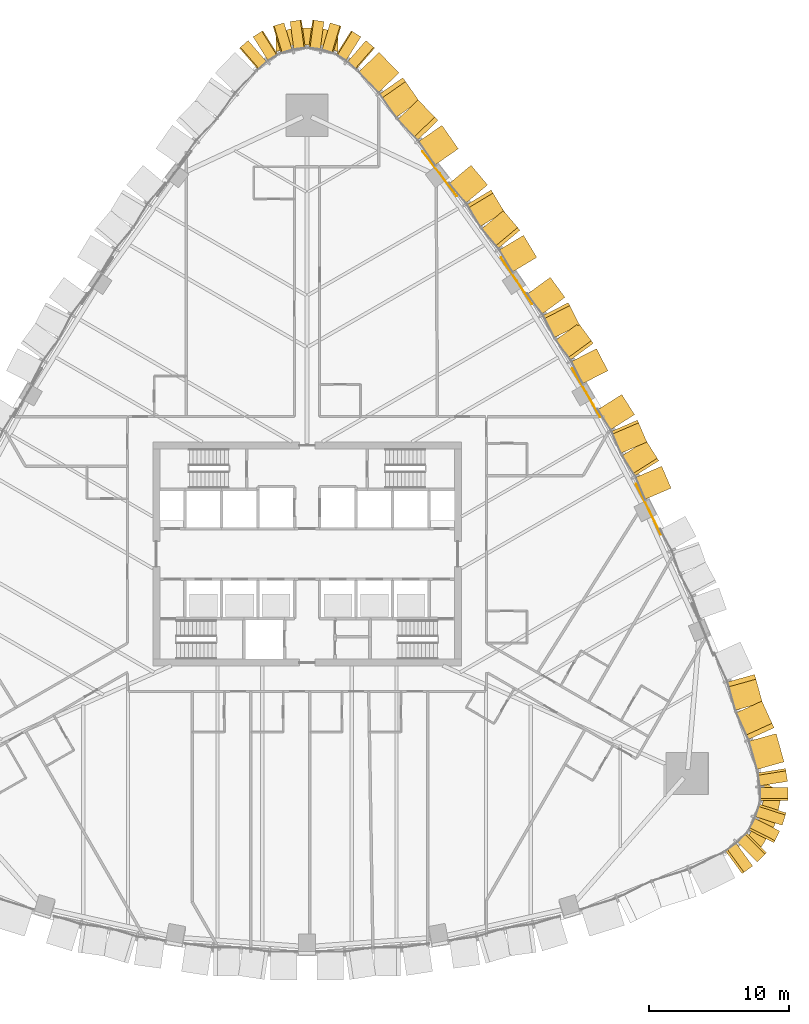
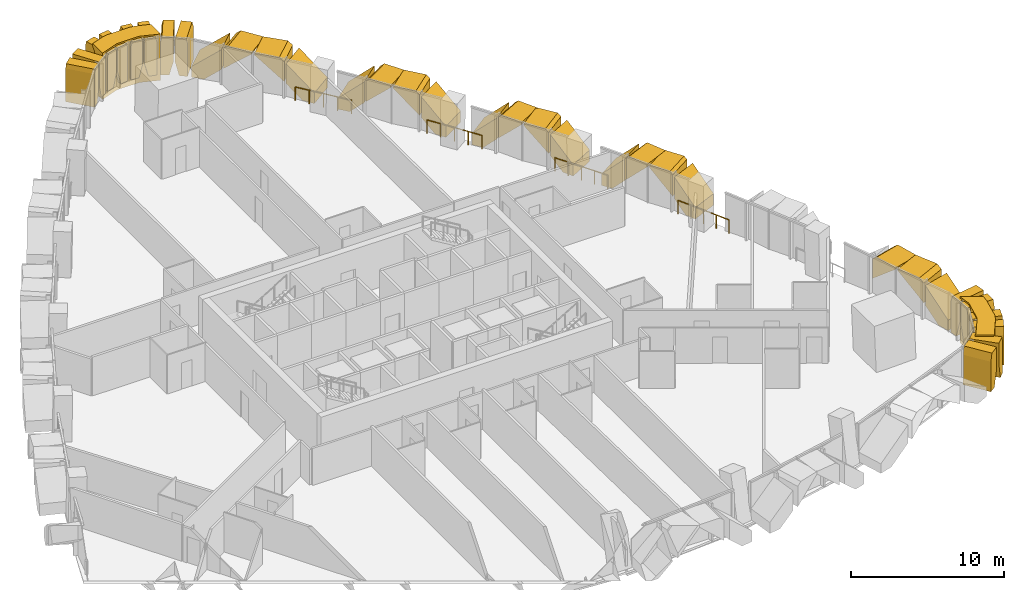
# One storey, part 22 of 23: 35 coverings, 4 railings.
"""IFC4 building model written with IfcOpenShell, lengths in metres."""

from ifc_helpers import new_model, si_unit, direction, frame, origin, origin_2d, place, context, subcontext, project, spatial, polyline, circle, outline, extrude, material, layer, layer_set, type_object, element, save


model = new_model("IFC4")

# Units and contexts
model_context = context("Model", 3, precision=1e-05, world=origin(), true_north=direction((0.0, 1.0)))
body_context = subcontext(model_context, "Body", "Model", "MODEL_VIEW")
ifc_project = project(units=[si_unit("LENGTHUNIT", "METRE"), si_unit("AREAUNIT", "SQUARE_METRE"), si_unit("VOLUMEUNIT", "CUBIC_METRE"), si_unit("PLANEANGLEUNIT", "RADIAN"), si_unit("MASSUNIT", "GRAM", prefix="KILO")], contexts=[model_context])

# Site, building, storey
site_placement = place(None, origin())
site = spatial("IfcSite", under=ifc_project, at=site_placement, CompositionType="ELEMENT")
building_placement = place(site_placement, origin())
building = spatial("IfcBuilding", under=site, at=building_placement, Name="Sierra Prisma Convention Tower", CompositionType="ELEMENT")
storey_placement = place(building_placement, frame((0.0, 0.0, 51.699951171875)))
storey = spatial("IfcBuildingStorey", under=building, at=storey_placement, Name="L08", CompositionType="ELEMENT", Elevation=51.699951171875)

# Coverings
ifc_material_1 = material(Name="Aluminium composite bronze anodised", Category="aluminium")
ifc_layer_1 = layer(ifc_material_1, 1.199951171875)
ifc_layer_set_1 = layer_set([ifc_layer_1], Name="Bronze corner pier")
covering_type_1 = type_object("IfcCoveringType", Name="Bronze corner pier", PredefinedType="CLADDING", material=ifc_layer_set_1)
covering_1_placement = place(storey_placement, frame((0.0, 0.0, -0.599853515625)))
element("IfcCovering", 1, at=covering_1_placement, inside=storey, type_object=covering_type_1, Name="Corner pier SE L08.1", PredefinedType="CLADDING", context=body_context, shape_type="SweptSolid", body=[
    extrude(outline(polyline([(33.8076171875, -17.0009765625), (33.79150390625, -17.4228515625), (33.412841796875, -19.161376953125), (33.251708984375, -19.5517578125), (32.294189453125, -21.051513671875), (32.213623046875, -21.138916015625), (31.13623046875, -20.516845703125), (31.28271484375, -20.40576171875), (32.240234375, -18.906005859375), (32.619140625, -17.16748046875), (32.485595703125, -16.21533203125), (33.80419921875, -16.976318359375), (33.8076171875, -17.0009765625)])), origin(), (0.0, 0.0, 1.0), 3.699951171875),
])
covering_2_placement = place(storey_placement, frame((0.0, 0.0, -0.599853515625)))
element("IfcCovering", 2, at=covering_2_placement, inside=storey, type_object=covering_type_1, Name="Corner pier N L08.1", PredefinedType="CLADDING", context=body_context, shape_type="SweptSolid", body=[
    extrude(outline(polyline([(-1.255126953125, 37.44091796875), (-0.855224609375, 37.509521484375), (0.855224609375, 37.509521484375), (1.255126953125, 37.44091796875), (2.199951171875, 37.10693359375), (2.199951171875, 35.834228515625), (0.855224609375, 36.3095703125), (-0.855224609375, 36.3095703125), (-2.199951171875, 35.834228515625), (-2.199951171875, 37.10693359375), (-1.255126953125, 37.44091796875)])), origin(), (0.0, 0.0, 1.0), 3.699951171875),
])
ifc_material_2 = material(Name="Aluminium 6063-T6 bronze anodised", Category="aluminium")
ifc_layer_2 = layer(ifc_material_2, 2.0)
ifc_layer_set_2 = layer_set([ifc_layer_2], Name="Bronze crystal chevron frame")
covering_type_2 = type_object("IfcCoveringType", Name="Bronze crystal chevron frame", PredefinedType="CLADDING", material=ifc_layer_set_2)
covering_3_placement = place(storey_placement, frame((31.0302734375, -22.79443359375, 0.0), z_axis=(0.58868439772, -0.808362962815, 1.5124371e-05), x_axis=(0.808362962908, 0.588684397788, -1.891e-09)))
element("IfcCovering", 3, at=covering_3_placement, inside=storey, type_object=covering_type_2, Name="CW-2 chevron frame SE1.1.1", PredefinedType="CLADDING", context=body_context, shape_type="SweptSolid", body=[
    extrude(outline(polyline([(0.0, 0.0), (0.5641193348885102, 8.470329472543003e-22), (0.9314395813174466, 1.2866210956611146), (0.9314395781161121, 2.979980470467439), (0.16671568856448393, 2.9799804687543454), (-4.5296853956575595e-09, 2.395996093475962), (0.0, 0.0)])), origin(), (0.0, 0.0, -1.0), 2.0),
])
covering_4_placement = place(storey_placement, frame((32.1201171875, -21.9580078125, 2.97998046875), z_axis=(0.707905505067, -0.706307153931, 1.4219269e-05), x_axis=(1.0065899e-05, -1.0043171e-05, -0.999999999899)))
element("IfcCovering", 4, at=covering_4_placement, inside=storey, type_object=covering_type_2, Name="CW-2 chevron frame SE1.1.2", PredefinedType="CLADDING", context=body_context, shape_type="SweptSolid", body=[
    extrude(outline(polyline([(0.0, 0.0), (1.6933593748288118, 0.0), (2.9799804694430945, 0.36736422550702613), (2.979980468685204, 0.9311856290907519), (0.5839843751774242, 0.9311856290907519), (1.394482376217089e-11, 0.7645942210802714), (0.0, 0.0)])), origin(), (0.0, 0.0, -1.0), 2.0),
])
covering_5_placement = place(storey_placement, frame((33.294921875, -20.58544921875, 0.0), z_axis=(0.89162941775, -0.452765923342, 7.898849e-06), x_axis=(0.452765923356, 0.891629417778, 1.83e-10)))
element("IfcCovering", 5, at=covering_5_placement, inside=storey, type_object=covering_type_2, Name="CW-2 chevron frame SE2.1.1", PredefinedType="CLADDING", context=body_context, shape_type="SweptSolid", body=[
    extrude(outline(polyline([(0.0, 0.0), (0.5640502335091748, 0.0), (0.9312398438628796, 1.2866210935646265), (0.9312398441722148, 2.9799804685118008), (0.16672533886076615, 2.979980469052681), (4.376898145061887e-10, 2.395996093675255), (0.0, 0.0)])), origin(), (0.0, 0.0, -1.0), 2.0),
])
covering_6_placement = place(storey_placement, frame((33.8857421875, -19.34521484375, 2.97998046875), z_axis=(0.951471844831, -0.307735809193, -1.5292643e-05), x_axis=(-1.4550519e-05, 4.706094e-06, -0.999999999883)))
element("IfcCovering", 6, at=covering_6_placement, inside=storey, type_object=covering_type_2, Name="CW-2 chevron frame SE2.1.2", PredefinedType="CLADDING", context=body_context, shape_type="SweptSolid", body=[
    extrude(outline(polyline([(0.0, 0.0), (1.6933593748019913, 0.0), (2.979980468947444, 0.36742904336684634), (2.979980468599577, 0.9314269133730242), (0.5839843751297468, 0.9314269133730242), (-6.203191017610104e-10, 0.764659037603816), (0.0, 0.0)])), origin(), (0.0, 0.0, -1.0), 2.0),
])
covering_7_placement = place(storey_placement, frame((34.308837890625, -17.588623046875, 0.0), z_axis=(0.999998722405, 0.001598369147, -2.0108283e-05), x_axis=(-0.001598369147, 0.999998722607, -2.679e-09)))
element("IfcCovering", 7, at=covering_7_placement, inside=storey, type_object=covering_type_2, Name="CW-2 chevron frame SE3.1.1", PredefinedType="CLADDING", context=body_context, shape_type="SweptSolid", body=[
    extrude(outline(polyline([(0.0, 0.0), (0.5639656842527501, -3.308722450212111e-24), (0.9311534922168767, 1.2866210964566789), (0.931153487680316, 2.97998047111433), (0.16674821611563387, 2.979980469044373), (-6.418945656087787e-09, 2.3959960932655977), (0.0, 0.0)])), origin(), (0.0, 0.0, -1.0), 2.0),
])
covering_8_placement = place(storey_placement, frame((34.271728515625, -16.21533203125, 2.97998046875), z_axis=(0.987415372625, 0.15814828779, 3.1203296e-05), x_axis=(3.0810614e-05, 4.934748e-06, -0.999999999513)))
element("IfcCovering", 8, at=covering_8_placement, inside=storey, type_object=covering_type_2, Name="CW-2 chevron frame SE3.1.2", PredefinedType="CLADDING", context=body_context, shape_type="SweptSolid", body=[
    extrude(outline(polyline([(0.0, 0.0), (1.693359374175634, 0.0), (2.9799804736432676, 0.36713695636862614), (2.9799804686322897, 0.9311449493892751), (0.5839843760487156, 0.9311449493892751), (1.705641027005472e-09, 0.7644950527675397), (0.0, 0.0)])), origin(), (0.0, 0.0, -1.0), 2.0),
])
covering_9_placement = place(storey_placement, frame((34.021484375, -14.82373046875, 0.0), z_axis=(0.963450078314, 0.267887936584, 5.434497e-06), x_axis=(-0.267887936588, 0.963450078328, -8.1e-11)))
element("IfcCovering", 9, at=covering_9_placement, inside=storey, type_object=covering_type_2, Name="CW-2 chevron frame NE1.1.1", PredefinedType="CLADDING", context=body_context, shape_type="SweptSolid", body=[
    extrude(outline(polyline([(0.0, 0.0), (0.8767689126008897, 2.117582368135751e-22), (2.093359298602739, 1.0146484376837803), (2.0933592984767477, 2.5771484376607074), (-6.703141072540052e-11, 0.8312988281127244), (0.0, 0.0)])), origin(), (0.0, 0.0, -1.0), 2.0),
])
covering_10_placement = place(storey_placement, frame((33.308837890625, -12.390380859375, 2.685546875), z_axis=(0.909683577762, 0.415302044105, 2.261724e-05), x_axis=(2.0574532e-05, 9.392986e-06, -0.999999999744)))
element("IfcCovering", 10, at=covering_10_placement, inside=storey, type_object=covering_type_2, Name="CW-2 chevron frame NE1.1.2", PredefinedType="CLADDING", context=body_context, shape_type="SweptSolid", body=[
    extrude(outline(polyline([(0.0, 0.0), (1.5624999996003597, -2.6469779601696886e-21), (-0.1831054688537816, 2.0933648651850576), (-0.2944335938253072, 2.0933648651850576), (-0.29443359468153657, 0.3532080364288343), (0.0, 0.0)])), origin(), (0.0, 0.0, -1.0), 2.0),
])
covering_11_placement = place(storey_placement, frame((32.48193359375, -10.602783203125, 2.97998046875), z_axis=(0.963439265917, 0.267926816072, 4.6025661e-05), x_axis=(4.4342929e-05, 1.2331509e-05, -0.999999998941)))
element("IfcCovering", 11, at=covering_11_placement, inside=storey, type_object=covering_type_2, Name="CW-2 chevron frame NE1.2.1", PredefinedType="CLADDING", context=body_context, shape_type="SweptSolid", body=[
    extrude(outline(polyline([(0.0, 0.0), (0.11132812488208339, 1.885971796620903e-22), (1.8569335924068886, 2.093124082537755), (0.29443359406185843, 2.093124082537755), (-3.545773013445769e-09, 1.7401556800050633), (0.0, 0.0)])), origin(), (0.0, 0.0, -1.0), 2.0),
])
covering_12_placement = place(storey_placement, frame((25.967041015625, 4.701416015625, 0.0), z_axis=(0.918599936789, 0.395188759539, 2.1577586e-05), x_axis=(-0.395188759631, 0.918599937003, -1.558e-09)))
element("IfcCovering", 12, at=covering_12_placement, inside=storey, type_object=covering_type_2, Name="CW-2 chevron frame NE3.1.1", PredefinedType="CLADDING", context=body_context, shape_type="SweptSolid", body=[
    extrude(outline(polyline([(0.0, 0.0), (0.7834794827871052, -8.470329472543003e-22), (1.7025613798935204, 0.9304199247445246), (1.7025613772328683, 2.637939455597021), (-1.4250504656371157e-09, 0.9145507810370962), (0.0, 0.0)])), origin(), (0.0, 0.0, -1.0), 2.0),
])
covering_13_placement = place(storey_placement, frame((25.087646484375, 6.65771484375, 2.769775390625), z_axis=(0.845439535813, 0.534071142404, 7.8335538e-05), x_axis=(6.6227961e-05, 4.183675e-05, -0.999999996932)))
element("IfcCovering", 13, at=covering_13_placement, inside=storey, type_object=covering_type_2, Name="CW-2 chevron frame NE3.1.2", PredefinedType="CLADDING", context=body_context, shape_type="SweptSolid", body=[
    extrude(outline(polyline([(0.0, 0.0), (1.7077636666351912, 0.0), (-0.015625001241973246, 1.702330815263934), (-0.21020507876995717, 1.702330815263934), (-0.21020509044360677, 0.2077327633431812), (0.0, 0.0)])), origin(), (0.0, 0.0, -1.0), 2.0),
])
covering_14_placement = place(storey_placement, frame((24.236328125, 7.987060546875, 2.97998046875), z_axis=(0.91862303256, 0.395135068708, 3.9094509e-05), x_axis=(3.5913117e-05, 1.5447612e-05, -0.999999999236)))
element("IfcCovering", 14, at=covering_14_placement, inside=storey, type_object=covering_type_2, Name="CW-2 chevron frame NE3.2.1", PredefinedType="CLADDING", context=body_context, shape_type="SweptSolid", body=[
    extrude(outline(polyline([(0.0, 0.0), (0.1945800779763038, 0.0), (1.9179687488555803, 1.7022406355376274), (0.2102050782856367, 1.7022406355376274), (-2.907505403765379e-09, 1.4944455683506614), (0.0, 0.0)])), origin(), (0.0, 0.0, -1.0), 2.0),
])
covering_15_placement = place(storey_placement, frame((22.44775390625, 11.38232421875, 0.0), z_axis=(0.845431631401, 0.534083660617, 9.389662e-06), x_axis=(-7.938317e-06, -5.014865e-06, 0.999999999956)))
element("IfcCovering", 15, at=covering_15_placement, inside=storey, type_object=covering_type_2, Name="CW-2 chevron frame NE3.2.2", PredefinedType="CLADDING", context=body_context, shape_type="SweptSolid", body=[
    extrude(outline(polyline([(0.0, 0.0), (0.914550781209684, 0.0), (2.6379394530907434, 1.7023308153211565), (0.9304199219160156, 1.7023308153211565), (-2.3117678873931966e-10, 0.783465676374657), (0.0, 0.0)])), origin(), (0.0, 0.0, -1.0), 2.0),
])
covering_16_placement = place(storey_placement, frame((21.455322265625, 13.0751953125, 0.0), z_axis=(0.889828273411, 0.456295565861, -2.0348906e-05), x_axis=(-0.456295565955, 0.889828273595, -1.333e-09)))
element("IfcCovering", 16, at=covering_16_placement, inside=storey, type_object=covering_type_2, Name="CW-2 chevron frame NE4.1.1", PredefinedType="CLADDING", context=body_context, shape_type="SweptSolid", body=[
    extrude(outline(polyline([(0.0, 0.0), (0.7992615567676341, 0.0), (1.771585882886694, 0.9484863306829113), (1.7715858806522136, 2.6247558615858577), (-1.1953460586879772e-09, 0.8967285154393422), (0.0, 0.0)])), origin(), (0.0, 0.0, -1.0), 2.0),
])
covering_17_placement = place(storey_placement, frame((20.414306640625, 15.029052734375, 2.751708984375), z_axis=(0.807475687687, 0.589900850581, -1.6647504e-05), x_axis=(-1.3442455e-05, -9.820377e-06, -0.999999999861)))
element("IfcCovering", 17, at=covering_17_placement, inside=storey, type_object=covering_type_2, Name="CW-2 chevron frame NE4.1.2", PredefinedType="CLADDING", context=body_context, shape_type="SweptSolid", body=[
    extrude(outline(polyline([(0.0, 0.0), (1.676513671642686, 2.8401246332008205e-21), (-0.05175781255609095, 1.7717707695782772), (-0.2282714844066315, 1.7717707695782772), (-0.22827148492017837, 0.23429627429681915), (0.0, 0.0)])), origin(), (0.0, 0.0, -1.0), 2.0),
])
covering_18_placement = place(storey_placement, frame((19.434326171875, 16.35400390625, 2.97998046875), z_axis=(0.88983379628, 0.456284795834, -9.382654e-06), x_axis=(-8.349003e-06, -4.281163e-06, -0.999999999956)))
element("IfcCovering", 18, at=covering_18_placement, inside=storey, type_object=covering_type_2, Name="CW-2 chevron frame NE4.2.1", PredefinedType="CLADDING", context=body_context, shape_type="SweptSolid", body=[
    extrude(outline(polyline([(0.0, 0.0), (0.17651367186723038, 1.4951289571895975e-22), (1.9047851561862525, 1.771585884254875), (0.22827148438504785, 1.771585884254875), (-1.6312978438214634e-10, 1.5372668406413612), (0.0, 0.0)])), origin(), (0.0, 0.0, -1.0), 2.0),
])
covering_19_placement = place(storey_placement, frame((17.348388671875, 19.738525390625, 0.0), z_axis=(0.80754492558, 0.589806063986, -7.399363e-06), x_axis=(5.975318e-06, 4.364189e-06, 0.999999999973)))
element("IfcCovering", 19, at=covering_19_placement, inside=storey, type_object=covering_type_2, Name="CW-2 chevron frame NE4.2.2", PredefinedType="CLADDING", context=body_context, shape_type="SweptSolid", body=[
    extrude(outline(polyline([(0.0, 0.0), (0.8967285156004519, -3.7977929873840883e-22), (2.624755859355077, 1.7716267621971802), (0.9484863281509651, 1.7716267621971802), (-1.408731075402992e-10, 0.7993321027541677), (0.0, 0.0)])), origin(), (0.0, 0.0, -1.0), 2.0),
])
covering_20_placement = place(storey_placement, frame((16.38427734375, 21.16357421875, 0.0), z_axis=(0.857023773998, 0.515276866702, -3.8000146e-05), x_axis=(-0.515276867074, 0.857023774617, -4.498e-09)))
element("IfcCovering", 20, at=covering_20_placement, inside=storey, type_object=covering_type_2, Name="CW-2 chevron frame NE5.1.1", PredefinedType="CLADDING", context=body_context, shape_type="SweptSolid", body=[
    extrude(outline(polyline([(0.0, 0.0), (0.813362611644771, 0.0), (1.8322638050706472, 0.9628906339371259), (1.8322637976424452, 2.6142578202448297), (-3.9688826196740025e-09, 0.882324218112957), (0.0, 0.0)])), origin(), (0.0, 0.0, -1.0), 2.0),
])
covering_21_placement = place(storey_placement, frame((15.1826171875, 23.0947265625, 2.737060546875), z_axis=(0.765859329086, 0.643008154969, 2.6379305e-05), x_axis=(2.0202837e-05, 1.6962108e-05, -0.999999999652)))
element("IfcCovering", 21, at=covering_21_placement, inside=storey, type_object=covering_type_2, Name="CW-2 chevron frame NE5.1.2", PredefinedType="CLADDING", context=body_context, shape_type="SweptSolid", body=[
    extrude(outline(polyline([(0.0, 0.0), (1.6511230463005184, -2.797111241348063e-21), (-0.08056640639100836, 1.8323527299990146), (-0.24291992195952009, 1.8323527299990146), (-0.24291992322145992, 0.2569822120418134), (0.0, 0.0)])), origin(), (0.0, 0.0, -1.0), 2.0),
])
covering_22_placement = place(storey_placement, frame((14.07666015625, 24.39697265625, 2.97998046875), z_axis=(0.857027734501, 0.515270272499, 9.2606431e-05), x_axis=(7.936628e-05, 4.7717341e-05, -0.999999995712)))
element("IfcCovering", 22, at=covering_22_placement, inside=storey, type_object=covering_type_2, Name="CW-2 chevron frame NE5.2.1", PredefinedType="CLADDING", context=body_context, shape_type="SweptSolid", body=[
    extrude(outline(polyline([(0.0, 0.0), (0.1623535149288321, 1.1001502146955268e-21), (1.8940429627116595, 1.8322638096291834), (0.2429199229166347, 1.8322638096291834), (-1.5552286272425527e-08, 1.575141608343959), (0.0, 0.0)])), origin(), (0.0, 0.0, -1.0), 2.0),
])
covering_23_placement = place(storey_placement, frame((11.69677734375, 27.7314453125, 0.0), z_axis=(0.765927091329, 0.642927438051, -1.3007543e-05), x_axis=(9.962829e-06, 8.362906e-06, 0.999999999915)))
element("IfcCovering", 23, at=covering_23_placement, inside=storey, type_object=covering_type_2, Name="CW-2 chevron frame NE5.2.2", PredefinedType="CLADDING", context=body_context, shape_type="SweptSolid", body=[
    extrude(outline(polyline([(0.0, 0.0), (0.882324218675357, 7.473576834416605e-22), (2.614257812441756, 1.832195754441185), (0.9628906250814587, 1.832195754441185), (-4.286908740419929e-10, 0.8134268822410102), (0.0, 0.0)])), origin(), (0.0, 0.0, -1.0), 2.0),
])
covering_24_placement = place(storey_placement, frame((10.7880859375, 28.906005859375, 0.0), z_axis=(0.820299048964, 0.571934847908, 4.198725e-06), x_axis=(-0.571934847913, 0.820299048971, -4.9e-11)))
element("IfcCovering", 24, at=covering_24_placement, inside=storey, type_object=covering_type_2, Name="CW-2 chevron frame NE6.1.1", PredefinedType="CLADDING", context=body_context, shape_type="SweptSolid", body=[
    extrude(outline(polyline([(0.0, 0.0), (0.8639951834323087, 0.0), (2.041703089185968, 1.005615234484606), (2.041703089108112, 2.5834960938456972), (-4.146379228222555e-11, 0.8403320312425927), (0.0, 0.0)])), origin(), (0.0, 0.0, -1.0), 2.0),
])
covering_25_placement = place(storey_placement, frame((9.339111328125, 30.923583984375, 2.694580078125), z_axis=(0.720720111174, 0.693226168428, -2.7492466e-05), x_axis=(-1.9814373e-05, -1.9058497e-05, -0.999999999622)))
element("IfcCovering", 25, at=covering_25_placement, inside=storey, type_object=covering_type_2, Name="CW-2 chevron frame NE6.1.2", PredefinedType="CLADDING", context=body_context, shape_type="SweptSolid", body=[
    extrude(outline(polyline([(0.0, 0.0), (1.5778808587786908, 0.0), (-0.16528320327825233, 2.041949745572222), (-0.2854003907328579, 2.041949745572222), (-0.2854003920162654, 0.33462801034291817), (0.0, 0.0)])), origin(), (0.0, 0.0, -1.0), 2.0),
])
covering_26_placement = place(storey_placement, frame((8.00244140625, 32.29931640625, 2.97998046875), z_axis=(0.820242999565, 0.572015228316, -1.5435134e-05), x_axis=(-1.2660561e-05, -8.829132e-06, -0.999999999881)))
element("IfcCovering", 26, at=covering_26_placement, inside=storey, type_object=covering_type_2, Name="CW-2 chevron frame NE6.2.1", PredefinedType="CLADDING", context=body_context, shape_type="SweptSolid", body=[
    extrude(outline(polyline([(0.0, 0.0), (0.12011718748569143, 0.0), (1.8632812498460374, 2.041842732001936), (0.2854003906589974, 2.041842732001936), (-4.045367840860845e-10, 1.7072692284192432), (0.0, 0.0)])), origin(), (0.0, 0.0, -1.0), 2.0),
])
covering_27_placement = place(storey_placement, frame((5.1376953125, 35.788330078125, 0.0), z_axis=(0.720646528701, 0.693302659483, 5.5002499e-05), x_axis=(-3.963736e-05, -3.8133379e-05, 0.999999998487)))
element("IfcCovering", 27, at=covering_27_placement, inside=storey, type_object=covering_type_2, Name="CW-2 chevron frame NE6.2.2", PredefinedType="CLADDING", context=body_context, shape_type="SweptSolid", body=[
    extrude(outline(polyline([(0.0, 0.0), (0.8403320299788823, 2.8471556684075213e-21), (2.5834960928843693, 2.0417737941436895), (1.0056152358961312, 2.0417737941436895), (-7.315758739239223e-09, 0.8640169384549772), (0.0, 0.0)])), origin(), (0.0, 0.0, -1.0), 2.0),
])
covering_28_placement = place(storey_placement, frame((4.821044921875, 36.089599609375, 0.0), z_axis=(0.656193487694, 0.754592676023, -8.29519e-07), x_axis=(-0.754592676023, 0.656193487694, 9.1e-11)))
element("IfcCovering", 28, at=covering_28_placement, inside=storey, type_object=covering_type_2, Name="CW-2 chevron frame N1.1.1", PredefinedType="CLADDING", context=body_context, shape_type="SweptSolid", body=[
    extrude(outline(polyline([(0.0, 0.0), (0.559129627971758, 2.6469779601696886e-23), (0.821136533073337, 1.0244140624184699), (0.8211365332507312, 2.9799804686677973), (0.08288742039183583, 2.97998046879991), (2.4093281493766537e-10, 2.6560058593740865), (0.0, 0.0)])), origin(), (0.0, 0.0, -1.0), 2.0),
])
covering_29_placement = place(storey_placement, frame((3.844970703125, 36.892333984375, 2.97998046875), z_axis=(0.529960732258, 0.848022182575, 1.1182243e-05), x_axis=(5.92615e-06, 9.48279e-06, -0.999999999937)))
element("IfcCovering", 29, at=covering_29_placement, inside=storey, type_object=covering_type_2, Name="CW-2 chevron frame N1.1.2", PredefinedType="CLADDING", context=body_context, shape_type="SweptSolid", body=[
    extrude(outline(polyline([(0.0, 0.0), (1.9555664061277356, 0.0), (2.979980469274469, 0.2620233991370337), (2.97998046868813, 0.8213689630647609), (0.3239746094791865, 0.8213689630647609), (8.266676790082071e-11, 0.738453113355455), (0.0, 0.0)])), origin(), (0.0, 0.0, -1.0), 2.0),
])
covering_30_placement = place(storey_placement, frame((2.428955078125, 37.653076171875, 0.0), z_axis=(0.286895472727, 0.957961892086, -3.2234185e-05), x_axis=(-0.957961892584, 0.286895472876, -9.53e-10)))
element("IfcCovering", 30, at=covering_30_placement, inside=storey, type_object=covering_type_2, Name="CW-2 chevron frame N2.1.1", PredefinedType="CLADDING", context=body_context, shape_type="SweptSolid", body=[
    extrude(outline(polyline([(0.0, 0.0), (0.5591451948264125, -8.470329472543003e-22), (0.8211443713947398, 1.0244140631910648), (0.8211443695312824, 2.979980468425106), (0.08287435542006494, 2.9799804723113925), (-2.530905405781702e-09, 2.656005857995148), (0.0, 0.0)])), origin(), (0.0, 0.0, -1.0), 2.0),
])
covering_31_placement = place(storey_placement, frame((1.208740234375, 37.982177734375, 2.97998046875), z_axis=(0.133483067651, 0.991051093588, -2.3427982e-05), x_axis=(-3.127239e-06, -2.3218328e-05, -0.999999999726)))
element("IfcCovering", 31, at=covering_31_placement, inside=storey, type_object=covering_type_2, Name="CW-2 chevron frame N2.1.2", PredefinedType="CLADDING", context=body_context, shape_type="SweptSolid", body=[
    extrude(outline(polyline([(0.0, 0.0), (1.955566405713324, -8.28214588318719e-22), (2.979980468917094, 0.26185922642878295), (2.979980468221644, 0.8213130479297628), (0.3239746095755453, 0.8213130479297628), (-1.921186407474855e-09, 0.7383074432723666), (0.0, 0.0)])), origin(), (0.0, 0.0, -1.0), 2.0),
])
covering_32_placement = place(storey_placement, frame((-0.394775390625, 38.091796875, 0.0), z_axis=(-0.133483067651, 0.991051093588, -2.3427982e-05), x_axis=(-0.99105109386, -0.133483067688, -1.243e-09)))
element("IfcCovering", 32, at=covering_32_placement, inside=storey, type_object=covering_type_2, Name="CW-2 chevron frame N3.1.1", PredefinedType="CLADDING", context=body_context, shape_type="SweptSolid", body=[
    extrude(outline(polyline([(0.0, 0.0), (0.5594538215009798, 6.352747104407253e-22), (0.8213130466563272, 1.0244140635292833), (0.8213130442253886, 2.979980469242607), (0.0830056009530221, 2.979980470246013), (-3.30164554374955e-09, 2.656005858646098), (0.0, 0.0)])), origin(), (0.0, 0.0, -1.0), 2.0),
])
covering_33_placement = place(storey_placement, frame((-1.642333984375, 37.888671875, 2.97998046875), z_axis=(-0.286895472727, 0.957961892086, -3.2234185e-05), x_axis=(9.247842e-06, -3.0879121e-05, -0.99999999948)))
element("IfcCovering", 33, at=covering_33_placement, inside=storey, type_object=covering_type_2, Name="CW-2 chevron frame N3.1.2", PredefinedType="CLADDING", context=body_context, shape_type="SweptSolid", body=[
    extrude(outline(polyline([(0.0, 0.0), (1.9555664052340416, 0.0), (2.9799804681754476, 0.26199917754449065), (2.9799804676426387, 0.8211443723709031), (0.32397460964749025, 0.8211443723709031), (-4.589783236054342e-09, 0.7382700141112176), (0.0, 0.0)])), origin(), (0.0, 0.0, -1.0), 2.0),
])
covering_34_placement = place(storey_placement, frame((-3.1484375, 37.32763671875, 0.0), z_axis=(-0.529960732258, 0.848022182575, 1.1182243e-05), x_axis=(-0.848022182628, -0.529960732291, -1.048e-09)))
element("IfcCovering", 34, at=covering_34_placement, inside=storey, type_object=covering_type_2, Name="CW-2 chevron frame N4.1.1", PredefinedType="CLADDING", context=body_context, shape_type="SweptSolid", body=[
    extrude(outline(polyline([(0.0, 0.0), (0.5593455639277272, -4.235164736271502e-22), (0.8213689619909093, 1.024414063421402), (0.8213689599409685, 2.9799804695491376), (0.08291584658551363, 2.9799804686923803), (-2.784182888268831e-09, 2.6560058592089435), (0.0, 0.0)])), origin(), (0.0, 0.0, -1.0), 2.0),
])
covering_35_placement = place(storey_placement, frame((-4.201416015625, 36.62841796875, 2.97998046875), z_axis=(-0.656193487694, 0.754592676023, -8.29519e-07), x_axis=(5.44325e-07, -6.25949e-07, -1.0)))
element("IfcCovering", 35, at=covering_35_placement, inside=storey, type_object=covering_type_2, Name="CW-2 chevron frame N4.1.2", PredefinedType="CLADDING", context=body_context, shape_type="SweptSolid", body=[
    extrude(outline(polyline([(0.0, 0.0), (1.9555664062493272, 1.0352682353983987e-22), (2.979980468691564, 0.26200690500865187), (2.9799804687422844, 0.8211365329804099), (0.32397460936819816, 0.8211365329804099), (-6.514433192085907e-11, 0.7382491128588953), (0.0, 0.0)])), origin(), (0.0, 0.0, -1.0), 2.0),
])

# Railings
ifc_material_3 = material(Name="Bronze anodised aluminium", Category="aluminium")
railing_type = type_object("IfcRailingType", Name="Facade guard 1100", PredefinedType="GUARDRAIL", material=ifc_material_3)
railing_1_placement = place(storey_placement, frame((25.224609375, 1.410400390625, 0.0)))
element("IfcRailing", 36, at=railing_1_placement, inside=storey, type_object=railing_type, Name="Facade guard", PredefinedType="GUARDRAIL", context=body_context, shape_type="SweptSolid", body=[
    extrude(circle(Radius=0.02392578125, at=origin_2d()), frame((0.0, 0.0, 1.076171875), z_axis=(-0.429620334844, 0.90300961672, 0.0), x_axis=(-0.90300961672, -0.429620334844, 0.0)), (0.0, 0.0, 1.0), 0.99853515625),
    extrude(circle(Radius=0.02392578125, at=origin_2d()), frame((-0.428955078125, 0.901611328125, 1.076171875), z_axis=(-0.441617258618, 0.89720354262, 0.0), x_axis=(-0.89720354262, -0.441617258618, 0.0)), (0.0, 0.0, 1.0), 0.99609375),
    extrude(circle(Radius=0.02392578125, at=origin_2d()), frame((-0.868896484375, 1.79541015625, 1.076171875), z_axis=(-0.442208796959, 0.896912136105, 0.0), x_axis=(-0.896912136105, -0.442208796959, 0.0)), (0.0, 0.0, 1.0), 0.99658203125),
    extrude(circle(Radius=0.02392578125, at=origin_2d()), frame((-1.3095703125, 2.689208984375, 1.076171875), z_axis=(-0.454050378411, 0.890976011947, 0.0), x_axis=(-0.890976011947, -0.454050378411, 0.0)), (0.0, 0.0, 1.0), 0.998046875),
    extrude(circle(Radius=0.02099609375, at=origin_2d()), origin(), (0.0, 0.0, 1.0), 1.052001953125),
    extrude(circle(Radius=0.02099609375, at=origin_2d()), frame((-0.428955078125, 0.901611328125, 0.0)), (0.0, 0.0, 1.0), 1.052001953125),
    extrude(circle(Radius=0.02099609375, at=origin_2d()), frame((-0.868896484375, 1.79541015625, 0.0)), (0.0, 0.0, 1.0), 1.052001953125),
    extrude(circle(Radius=0.02099609375, at=origin_2d()), frame((-1.3095703125, 2.689208984375, 0.0)), (0.0, 0.0, 1.0), 1.052001953125),
    extrude(circle(Radius=0.02099609375, at=origin_2d()), frame((-1.7626953125, 3.578369140625, 0.0)), (0.0, 0.0, 1.0), 1.052001953125),
])
railing_2_placement = place(storey_placement, frame((20.908447265625, 9.76904296875, 0.0)))
element("IfcRailing", 37, at=railing_2_placement, inside=storey, type_object=railing_type, Name="Facade guard", PredefinedType="GUARDRAIL", context=body_context, shape_type="SweptSolid", body=[
    extrude(circle(Radius=0.02392578125, at=origin_2d()), frame((0.0, 0.0, 1.076171875), z_axis=(-0.489762718952, 0.871855767386, 0.0), x_axis=(-0.871855767386, -0.489762718952, 0.0)), (0.0, 0.0, 1.0), 1.0),
    extrude(circle(Radius=0.02392578125, at=origin_2d()), frame((-0.48974609375, 0.871826171875, 1.076171875), z_axis=(-0.49830508529, 0.867001754308, 0.0), x_axis=(-0.867001754308, -0.49830508529, 0.0)), (0.0, 0.0, 1.0), 0.99462890625),
    extrude(circle(Radius=0.02392578125, at=origin_2d()), frame((-0.9853515625, 1.734130859375, 1.076171875), z_axis=(-0.501440395817, 0.865192192199, 0.0), x_axis=(-0.865192192199, -0.501440395817, 0.0)), (0.0, 0.0, 1.0), 1.0),
    extrude(circle(Radius=0.02392578125, at=origin_2d()), frame((-1.48681640625, 2.599365234375, 1.076171875), z_axis=(-0.510663542979, 0.859780638228, 0.0), x_axis=(-0.859780638228, -0.510663542979, 0.0)), (0.0, 0.0, 1.0), 0.994384765625),
    extrude(circle(Radius=0.02099609375, at=origin_2d()), origin(), (0.0, 0.0, 1.0), 1.052001953125),
    extrude(circle(Radius=0.02099609375, at=origin_2d()), frame((-0.48974609375, 0.871826171875, 0.0)), (0.0, 0.0, 1.0), 1.052001953125),
    extrude(circle(Radius=0.02099609375, at=origin_2d()), frame((-0.9853515625, 1.734130859375, 0.0)), (0.0, 0.0, 1.0), 1.052001953125),
    extrude(circle(Radius=0.02099609375, at=origin_2d()), frame((-1.48681640625, 2.599365234375, 0.0)), (0.0, 0.0, 1.0), 1.052001953125),
    extrude(circle(Radius=0.02099609375, at=origin_2d()), frame((-1.99462890625, 3.454345703125, 0.0)), (0.0, 0.0, 1.0), 1.052001953125),
])
railing_3_placement = place(storey_placement, frame((16.0517578125, 17.825439453125, 0.0)))
element("IfcRailing", 38, at=railing_3_placement, inside=storey, type_object=railing_type, Name="Facade guard", PredefinedType="GUARDRAIL", context=body_context, shape_type="SweptSolid", body=[
    extrude(circle(Radius=0.02392578125, at=origin_2d()), frame((0.0, 0.0, 1.076171875), z_axis=(-0.547354603102, 0.836900793681, 0.0), x_axis=(-0.836900793681, -0.547354603102, 0.0)), (0.0, 0.0, 1.0), 1.0),
    extrude(circle(Radius=0.02392578125, at=origin_2d()), frame((-0.54736328125, 0.8369140625, 1.076171875), z_axis=(-0.553056317422, 0.833143870985, 0.0), x_axis=(-0.833143870985, -0.553056317422, 0.0)), (0.0, 0.0, 1.0), 0.99462890625),
    extrude(circle(Radius=0.02392578125, at=origin_2d()), frame((-1.097412109375, 1.66552734375, 1.076171875), z_axis=(-0.55880601632, 0.829298399929, 0.0), x_axis=(-0.829298399929, -0.55880601632, 0.0)), (0.0, 0.0, 1.0), 1.0),
    extrude(circle(Radius=0.02392578125, at=origin_2d()), frame((-1.65625, 2.494873046875, 1.076171875), z_axis=(-0.564798302746, 0.825228984716, 0.0), x_axis=(-0.825228984716, -0.564798302746, 0.0)), (0.0, 0.0, 1.0), 0.99462890625),
    extrude(circle(Radius=0.02099609375, at=origin_2d()), origin(), (0.0, 0.0, 1.0), 1.052001953125),
    extrude(circle(Radius=0.02099609375, at=origin_2d()), frame((-0.54736328125, 0.8369140625, 0.0)), (0.0, 0.0, 1.0), 1.052001953125),
    extrude(circle(Radius=0.02099609375, at=origin_2d()), frame((-1.097412109375, 1.66552734375, 0.0)), (0.0, 0.0, 1.0), 1.052001953125),
    extrude(circle(Radius=0.02099609375, at=origin_2d()), frame((-1.65625, 2.494873046875, 0.0)), (0.0, 0.0, 1.0), 1.052001953125),
    extrude(circle(Radius=0.02099609375, at=origin_2d()), frame((-2.218017578125, 3.315673828125, 0.0)), (0.0, 0.0, 1.0), 1.052001953125),
])
railing_4_placement = place(storey_placement, frame((10.675537109375, 25.545166015625, 0.0)))
element("IfcRailing", 39, at=railing_4_placement, inside=storey, type_object=railing_type, Name="Facade guard", PredefinedType="GUARDRAIL", context=body_context, shape_type="SweptSolid", body=[
    extrude(circle(Radius=0.02392578125, at=origin_2d()), frame((0.0, 0.0, 1.076171875), z_axis=(-0.602536027779, 0.798091683473, 0.0), x_axis=(-0.798091683473, -0.602536027779, 0.0)), (0.0, 0.0, 1.0), 1.0),
    extrude(circle(Radius=0.02392578125, at=origin_2d()), frame((-0.6025390625, 0.798095703125, 1.076171875), z_axis=(-0.60528862188, 0.796006083031, 0.0), x_axis=(-0.796006083031, -0.60528862188, 0.0)), (0.0, 0.0, 1.0), 0.99462890625),
    extrude(circle(Radius=0.02392578125, at=origin_2d()), frame((-1.20458984375, 1.58984375, 1.076171875), z_axis=(-0.613585573708, 0.789628231345, 0.0), x_axis=(-0.789628231345, -0.613585573708, 0.0)), (0.0, 0.0, 1.0), 1.0),
    extrude(circle(Radius=0.02392578125, at=origin_2d()), frame((-1.818115234375, 2.37939453125, 1.076171875), z_axis=(-0.616639155625, 0.78724592838, 0.0), x_axis=(-0.78724592838, -0.616639155625, 0.0)), (0.0, 0.0, 1.0), 0.99462890625),
    extrude(circle(Radius=0.02099609375, at=origin_2d()), origin(), (0.0, 0.0, 1.0), 1.052001953125),
    extrude(circle(Radius=0.02099609375, at=origin_2d()), frame((-0.6025390625, 0.798095703125, 0.0)), (0.0, 0.0, 1.0), 1.052001953125),
    extrude(circle(Radius=0.02099609375, at=origin_2d()), frame((-1.20458984375, 1.58984375, 0.0)), (0.0, 0.0, 1.0), 1.052001953125),
    extrude(circle(Radius=0.02099609375, at=origin_2d()), frame((-1.818115234375, 2.37939453125, 0.0)), (0.0, 0.0, 1.0), 1.052001953125),
    extrude(circle(Radius=0.02099609375, at=origin_2d()), frame((-2.431396484375, 3.162353515625, 0.0)), (0.0, 0.0, 1.0), 1.052001953125),
])

save(model, "model.ifc")
